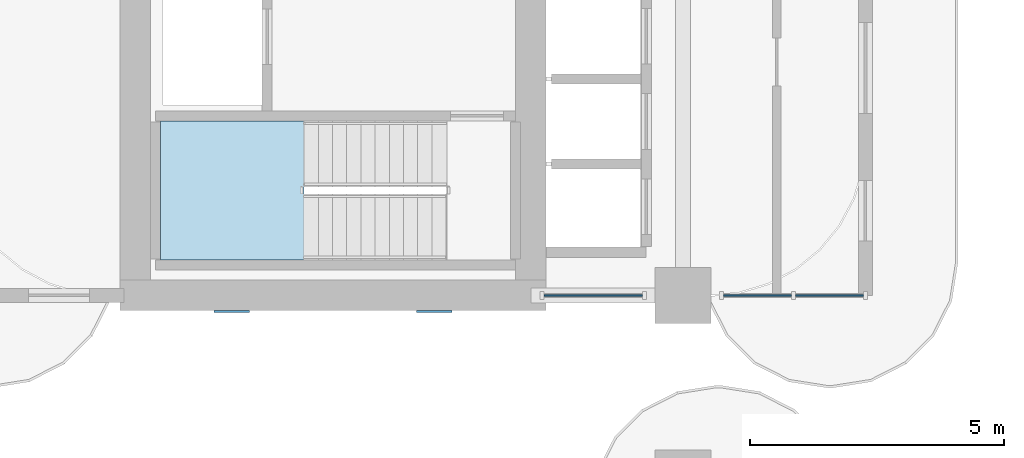
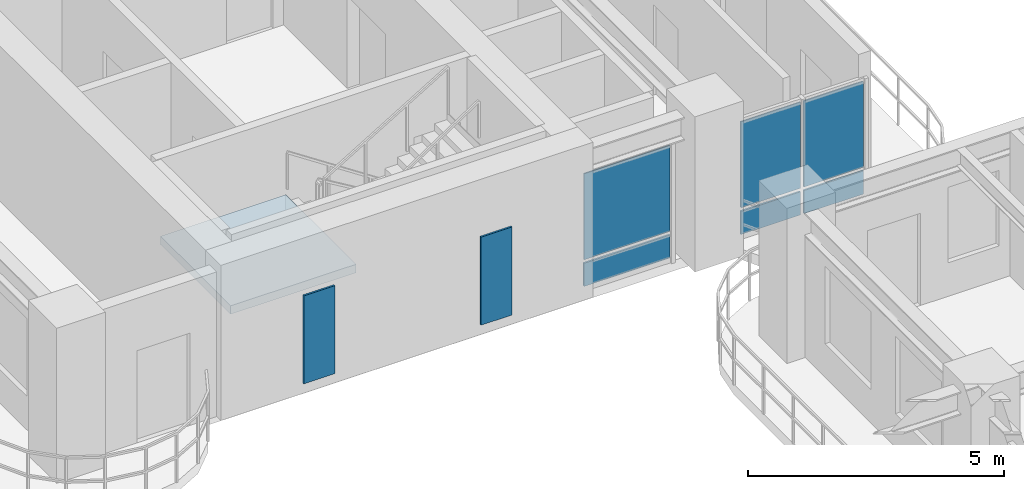
# One storey, part 4 of 18: 8 plates, 1 slab, 3 elements without a shape of their own.
"""IFC4 building model written with IfcOpenShell, lengths in metres."""

from ifc_helpers import new_model, si_unit, derived_unit, direction, frame, origin, origin_2d, place, context, subcontext, project, spatial, polyline, rectangle, outline, extrude, source, transform, mapped, material, layer, layer_set, type_object, type_shapes, element, aggregate, save


model = new_model("IFC4")

# Units and contexts
model_context = context("Model", 3, precision=1e-05, world=origin(), true_north=direction((0.0, 1.0)))
body_context = subcontext(model_context, "Body", "Model", "MODEL_VIEW")
ifc_project = project(units=[si_unit("LENGTHUNIT", "METRE"), si_unit("AREAUNIT", "SQUARE_METRE"), si_unit("VOLUMEUNIT", "CUBIC_METRE"), si_unit("PLANEANGLEUNIT", "RADIAN"), si_unit("MASSUNIT", "GRAM", prefix="KILO"), si_unit("THERMODYNAMICTEMPERATUREUNIT", "KELVIN"), si_unit("POWERUNIT", "WATT"), derived_unit("THERMALTRANSMITTANCEUNIT", [(si_unit("POWERUNIT", "WATT"), 1), (si_unit("AREAUNIT", "SQUARE_METRE"), -1), (si_unit("THERMODYNAMICTEMPERATUREUNIT", "KELVIN"), -1)])], contexts=[model_context])

# Site, building, storey
site_placement = place(None, origin())
site = spatial("IfcSite", under=ifc_project, at=site_placement, CompositionType="ELEMENT")
building_placement = place(site_placement, origin())
building = spatial("IfcBuilding", under=site, at=building_placement, Name="Zahravan Archway Hotel and Residences", CompositionType="ELEMENT")
storey_placement = place(building_placement, frame((0.0, 0.0, 50.89990234375)))
storey = spatial("IfcBuildingStorey", under=building, at=storey_placement, Name="L11", CompositionType="ELEMENT", Elevation=50.89990234375)

# Stair, slab
ifc_material_1 = material(Name="Concrete C50/60", Category="concrete")
stair_type = type_object("IfcStairType", Name="STR-CORE-1300", PredefinedType="HALF_TURN_STAIR", material=ifc_material_1)
stair_placement = place(storey_placement, origin())
stair = element("IfcStair", 1, at=stair_placement, inside=storey, type_object=stair_type, Name="L11 Core B Exit Stair 1", PredefinedType="HALF_TURN_STAIR")
ifc_layer_1 = layer(ifc_material_1, 0.199951171875, Name="Concrete C50/60", Category="concrete")
ifc_layer_set_1 = layer_set([ifc_layer_1], Name="Concrete C50/60")
slab_type = type_object("IfcSlabType", Name="SLB-LND-200", PredefinedType="LANDING", material=ifc_layer_set_1)
slab_placement = place(storey_placement, frame((0.0, 0.0, 1.650146484375)))
slab = element("IfcSlab", 2, at=slab_placement, type_object=slab_type, Name="ST-B1 landing 1", PredefinedType="LANDING", context=body_context, shape_type="SweptSolid", body=[
    extrude(outline(polyline([(6.929931640625, 28.639892578125), (4.10009765625, 28.639892578125), (4.10009765625, 25.89990234375), (6.929931640625, 25.89990234375), (6.929931640625, 28.639892578125)])), origin(), (0.0, 0.0, 1.0), 0.199951171875),
])
aggregate(stair, [slab])

# Plates
ifc_material_2 = material(Name="Perforated Cast Bronze Jali Lattice")
ifc_layer_2 = layer(ifc_material_2, 0.044921875, Name="Perforated Cast Bronze Jali Lattice")
ifc_layer_set_2 = layer_set([ifc_layer_2], Name="Perforated Cast Bronze Jali Lattice")
plate_type_1 = type_object("IfcPlateType", Name="PLT-JALI-BAY", PredefinedType="USERDEFINED", material=ifc_layer_set_2)
shared_shape_1 = source(origin(), body_context, "Body", "SweptSolid", [
    extrude(rectangle(XDim=0.699951171875, YDim=0.044921875, at=origin_2d()), origin(), (0.0, 0.0, 1.0), 2.10009765625),
])
type_shapes(plate_type_1, [shared_shape_1])
for number, where, z_axis, x_axis, name in (
    (3, (5.5, 24.882080078125, 0.25), (0.0, 0.0, 1.0), (1.0, 0.0, 0.0), "L11 Core B South Mughal Jali Screen 1"),
    (4, (9.5, 24.882080078125, 0.25), (0.0, 0.0, 1.0), (1.0, 0.0, 0.0), "L11 Core B South Mughal Jali Screen 2"),
):
    element("IfcPlate", number, at=place(storey_placement, frame(where, z_axis=z_axis, x_axis=x_axis)), inside=storey, type_object=plate_type_1, Name=name, ObjectType="SCREEN", PredefinedType="USERDEFINED", context=body_context, shape_type="MappedRepresentation", body=[
        mapped(shared_shape_1, transform((0.0, 0.0, 0.0), scale=1.0)),
    ])

# Curtain wall, plates
ifc_material_3 = material(Name="Bronze-Anodized Unitised Aluminium & Low-E Glass", Category="aluminium")
ifc_layer_3 = layer(ifc_material_3, 0.179931640625, Name="Bronze-Anodized Unitised Aluminium & Low-E Glass", Category="aluminium")
ifc_layer_set_3 = layer_set([ifc_layer_3], Name="Bronze-Anodized Unitised Aluminium & Low-E Glass")
curtain_wall_type = type_object("IfcCurtainWallType", Name="CW-ATR-GLAZ", PredefinedType="NOTDEFINED", material=ifc_layer_set_3)
curtain_wall_1_placement = place(storey_placement, origin())
curtain_wall_1 = element("IfcCurtainWall", 5, at=curtain_wall_1_placement, inside=storey, type_object=curtain_wall_type, Name="L11 Curtain Wall CW-L11-WB-SE-1", PredefinedType="NOTDEFINED")
ifc_material_4 = material(Name="Insulated Terracotta Spandrel Panel", Category="masonry")
ifc_layer_4 = layer(ifc_material_4, 0.0400390625, Name="Insulated Terracotta Spandrel Panel", Category="masonry")
ifc_layer_set_4 = layer_set([ifc_layer_4], Name="Insulated Terracotta Spandrel Panel")
plate_type_2 = type_object("IfcPlateType", Name="CWP-SPN-40", PredefinedType="SHEET", material=ifc_layer_set_4)
shared_shape_2 = source(origin(), body_context, "Body", "SweptSolid", [
    extrude(rectangle(XDim=1.93994140625, YDim=0.0400390625, at=origin_2d()), origin(), (0.0, 0.0, 1.0), 0.552490234375),
])
plate_1_placement = place(storey_placement, frame((12.6298828125, 25.199951171875, 0.10009765625), z_axis=(0.0, 0.0, 1.0), x_axis=(1.0, 0.0, 0.0)))
plate_1 = element("IfcPlate", 6, at=plate_1_placement, type_object=plate_type_2, Name="CW-L11-WB-SE-1 Spandrel Panel 0", PredefinedType="SHEET", context=body_context, shape_type="MappedRepresentation", body=[
    mapped(shared_shape_2, transform((0.0, 0.0, 0.0), scale=1.0)),
])
ifc_material_5 = material(Name="Double-Silver Low-E Insulated Vision Glass", Category="glass")
ifc_layer_5 = layer(ifc_material_5, 0.028076171875, Name="Double-Silver Low-E Insulated Vision Glass", Category="glass")
ifc_layer_set_5 = layer_set([ifc_layer_5], Name="Double-Silver Low-E Insulated Vision Glass")
plate_type_3 = type_object("IfcPlateType", Name="CWP-GLZ-28", PredefinedType="CURTAIN_PANEL", material=ifc_layer_set_5)
shared_shape_3 = source(origin(), body_context, "Body", "SweptSolid", [
    extrude(rectangle(XDim=1.93994140625, YDim=0.028076171875, at=origin_2d()), origin(), (0.0, 0.0, 1.0), 2.052490234375),
])
plate_2_placement = place(storey_placement, frame((12.6298828125, 25.199951171875, 0.732421875), z_axis=(0.0, 0.0, 1.0), x_axis=(1.0, 0.0, 0.0)))
plate_2 = element("IfcPlate", 7, at=plate_2_placement, type_object=plate_type_3, Name="CW-L11-WB-SE-1 Low-E Vision Panel 0", PredefinedType="CURTAIN_PANEL", context=body_context, shape_type="MappedRepresentation", body=[
    mapped(shared_shape_3, transform((0.0, 0.0, 0.0), scale=1.0)),
])
aggregate(curtain_wall_1, [plate_1, plate_2])

curtain_wall_2_placement = place(storey_placement, origin())
curtain_wall_2 = element("IfcCurtainWall", 8, at=curtain_wall_2_placement, inside=storey, type_object=curtain_wall_type, Name="L11 Curtain Wall CW-L11-WB-SE-2", PredefinedType="NOTDEFINED")
shared_shape_4 = source(origin(), body_context, "Body", "SweptSolid", [
    extrude(rectangle(XDim=1.340087890625, YDim=0.0400390625, at=origin_2d()), origin(), (0.0, 0.0, 1.0), 0.552490234375),
])
plate_3_placement = place(storey_placement, frame((15.8701171875, 25.199951171875, 0.10009765625), z_axis=(0.0, 0.0, 1.0), x_axis=(1.0, 0.0, 0.0)))
plate_3 = element("IfcPlate", 9, at=plate_3_placement, type_object=plate_type_2, Name="CW-L11-WB-SE-2 Spandrel Panel 0", PredefinedType="SHEET", context=body_context, shape_type="MappedRepresentation", body=[
    mapped(shared_shape_4, transform((0.0, 0.0, 0.0), scale=1.0)),
])
plate_4_placement = place(storey_placement, frame((17.2900390625, 25.199951171875, 0.10009765625), z_axis=(0.0, 0.0, 1.0), x_axis=(1.0, 0.0, 0.0)))
plate_4 = element("IfcPlate", 10, at=plate_4_placement, type_object=plate_type_2, Name="CW-L11-WB-SE-2 Spandrel Panel 1", PredefinedType="SHEET", context=body_context, shape_type="MappedRepresentation", body=[
    mapped(shared_shape_4, transform((0.0, 0.0, 0.0), scale=1.0)),
])
shared_shape_5 = source(origin(), body_context, "Body", "SweptSolid", [
    extrude(rectangle(XDim=1.340087890625, YDim=0.028076171875, at=origin_2d()), origin(), (0.0, 0.0, 1.0), 2.052490234375),
])
plate_5_placement = place(storey_placement, frame((15.8701171875, 25.199951171875, 0.732421875), z_axis=(0.0, 0.0, 1.0), x_axis=(1.0, 0.0, 0.0)))
plate_5 = element("IfcPlate", 11, at=plate_5_placement, type_object=plate_type_3, Name="CW-L11-WB-SE-2 Low-E Vision Panel 0", PredefinedType="CURTAIN_PANEL", context=body_context, shape_type="MappedRepresentation", body=[
    mapped(shared_shape_5, transform((0.0, 0.0, 0.0), scale=1.0)),
])
plate_6_placement = place(storey_placement, frame((17.2900390625, 25.199951171875, 0.732421875), z_axis=(0.0, 0.0, 1.0), x_axis=(1.0, 0.0, 0.0)))
plate_6 = element("IfcPlate", 12, at=plate_6_placement, type_object=plate_type_3, Name="CW-L11-WB-SE-2 Low-E Vision Panel 1", PredefinedType="CURTAIN_PANEL", context=body_context, shape_type="MappedRepresentation", body=[
    mapped(shared_shape_5, transform((0.0, 0.0, 0.0), scale=1.0)),
])
aggregate(curtain_wall_2, [plate_3, plate_5, plate_4, plate_6])

save(model, "model.ifc")
